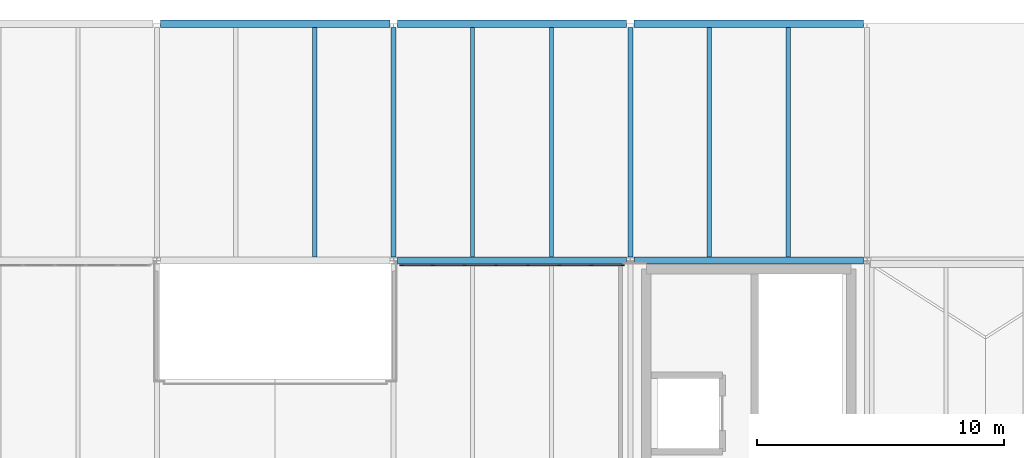
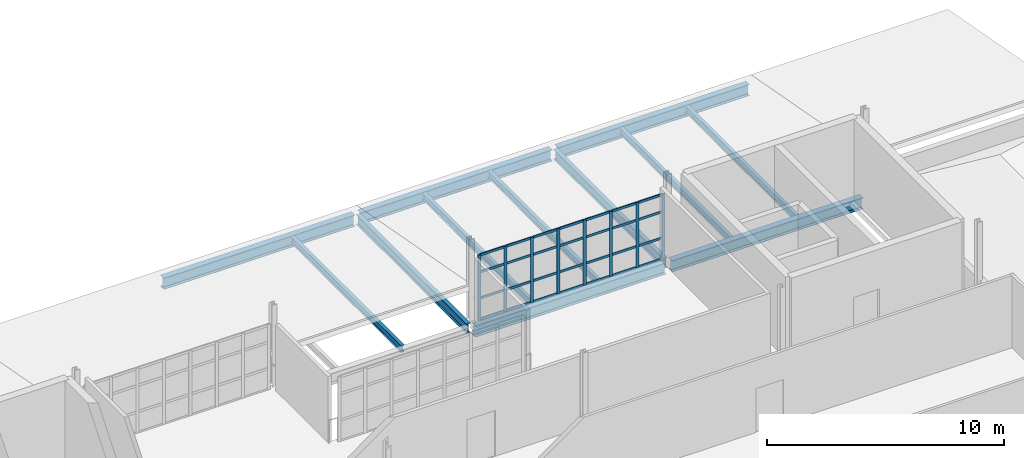
# One storey, part 27 of 58: 36 members, 12 beams, 1 element without a shape of its own.
"""IFC4 building model written with IfcOpenShell, lengths in metres."""

from ifc_helpers import new_model, si_unit, direction, frame, origin, origin_2d, place, context, subcontext, project, spatial, rectangle, i_section, extrude, material, layer, layer_set, material_profile, profile_set, type_object, element, aggregate, save


model = new_model("IFC4")

# Units and contexts
model_context = context("Model", 3, precision=1e-05, world=origin(), true_north=direction((0.0, 1.0)))
body_context = subcontext(model_context, "Body", "Model", "MODEL_VIEW")
ifc_project = project(units=[si_unit("LENGTHUNIT", "METRE"), si_unit("AREAUNIT", "SQUARE_METRE"), si_unit("VOLUMEUNIT", "CUBIC_METRE"), si_unit("PLANEANGLEUNIT", "RADIAN"), si_unit("MASSUNIT", "GRAM", prefix="KILO")], contexts=[model_context])

# Site, building, storey
site_placement = place(None, origin())
site = spatial("IfcSite", under=ifc_project, at=site_placement, CompositionType="ELEMENT")
building_placement = place(site_placement, origin())
building = spatial("IfcBuilding", under=site, at=building_placement, Name="Yeouljin Market Hall", CompositionType="ELEMENT")
storey_placement = place(building_placement, frame((0.0, 0.0, 10.800048828125)))
storey = spatial("IfcBuildingStorey", under=building, at=storey_placement, Name="L02", CompositionType="ELEMENT", Elevation=10.800048828125)

# Beams
ifc_material_1 = material(Name="Steel SM355", Category="steel")
ifc_material_profile_1 = material_profile(ifc_material_1, i_section(OverallWidth=0.199951171875, OverallDepth=0.5, WebThickness=0.010009765625, FlangeThickness=0.01611328125, FilletRadius=0.02001953125, at=origin_2d()), Name="H-500x200x10x16")
ifc_profile_set_1 = profile_set([ifc_material_profile_1], Name="Steel SM355")
beam_type_1 = type_object("IfcBeamType", Name="Beam_H-500x200x10x16", PredefinedType="BEAM", material=ifc_profile_set_1)
for number, where, z_axis, x_axis, name in (
    (1, (93.0, 98.550048828125, -0.550048828125), (0.0, 1.0, 0.0), (-1.0, 0.0, 0.0), "Primary beam BM-L02-Y118"),
    (2, (102.60009765625, 98.550048828125, -0.550048828125), (0.0, 1.0, 0.0), (-1.0, 0.0, 0.0), "Primary beam BM-L02-Y121"),
):
    element("IfcBeam", number, at=place(storey_placement, frame(where, z_axis=z_axis, x_axis=x_axis)), inside=storey, type_object=beam_type_1, Name=name, PredefinedType="BEAM", context=body_context, shape_type="SweptSolid", body=[
        extrude(i_section(OverallWidth=0.199951171875, OverallDepth=0.5, WebThickness=0.010009765625, FlangeThickness=0.01611328125, FilletRadius=0.02001953125, at=origin_2d()), origin(), (0.0, 0.0, 1.0), 9.300048828125),
    ])

# Curtain wall, members
ifc_material_2 = material(Name="Thermally Broken Aluminium", Category="aluminium")
ifc_layer = layer(ifc_material_2, 0.14990234375)
ifc_layer_set = layer_set([ifc_layer], Name="Thermally Broken Aluminium")
curtain_wall_type = type_object("IfcCurtainWallType", Name="CW_AcademyRibbon_System", PredefinedType="USERDEFINED", material=ifc_layer_set)
curtain_wall_placement = place(storey_placement, origin())
curtain_wall = element("IfcCurtainWall", 3, at=curtain_wall_placement, inside=storey, type_object=curtain_wall_type, Name="Curtain wall CW-L02-W17", ObjectType="CURTAIN WALL", PredefinedType="USERDEFINED")
ifc_material_3 = material(Name="Thermally Broken Aluminium", Category="aluminium")
ifc_material_profile_2 = material_profile(ifc_material_3, rectangle(XDim=0.048095703125, YDim=0.14990234375, at=origin_2d()), Name="CW-MULL-48x150")
ifc_profile_set_2 = profile_set([ifc_material_profile_2], Name="Thermally Broken Aluminium")
member_type_1 = type_object("IfcMemberType", Name="CWMullion_48x150", PredefinedType="MULLION", material=ifc_profile_set_2)
member_1_placement = place(storey_placement, frame((93.323974609375, 98.199951171875, 0.0), z_axis=(0.0, 0.0, 1.0), x_axis=(0.0, 1.0, 0.0)))
member_1 = element("IfcMember", 4, at=member_1_placement, type_object=member_type_1, Name="CW-05 mullion 1", PredefinedType="MULLION", context=body_context, shape_type="SweptSolid", body=[
    extrude(rectangle(XDim=0.048095703125, YDim=0.14990234375, at=origin_2d()), origin(), (0.0, 0.0, 1.0), 3.349853515625),
])
member_2_placement = place(storey_placement, frame((94.585693359375, 98.199951171875, 0.0), z_axis=(0.0, 0.0, 1.0), x_axis=(0.0, 1.0, 0.0)))
member_2 = element("IfcMember", 5, at=member_2_placement, type_object=member_type_1, Name="CW-05 mullion 2", PredefinedType="MULLION", context=body_context, shape_type="SweptSolid", body=[
    extrude(rectangle(XDim=0.048095703125, YDim=0.14990234375, at=origin_2d()), origin(), (0.0, 0.0, 1.0), 3.349853515625),
])
member_3_placement = place(storey_placement, frame((95.871337890625, 98.199951171875, 0.0), z_axis=(0.0, 0.0, 1.0), x_axis=(0.0, 1.0, 0.0)))
member_3 = element("IfcMember", 6, at=member_3_placement, type_object=member_type_1, Name="CW-05 mullion 3", PredefinedType="MULLION", context=body_context, shape_type="SweptSolid", body=[
    extrude(rectangle(XDim=0.048095703125, YDim=0.14990234375, at=origin_2d()), origin(), (0.0, 0.0, 1.0), 3.349853515625),
])
member_4_placement = place(storey_placement, frame((97.1572265625, 98.199951171875, 0.0), z_axis=(0.0, 0.0, 1.0), x_axis=(0.0, 1.0, 0.0)))
member_4 = element("IfcMember", 7, at=member_4_placement, type_object=member_type_1, Name="CW-05 mullion 4", PredefinedType="MULLION", context=body_context, shape_type="SweptSolid", body=[
    extrude(rectangle(XDim=0.048095703125, YDim=0.14990234375, at=origin_2d()), origin(), (0.0, 0.0, 1.0), 3.349853515625),
])
member_5_placement = place(storey_placement, frame((98.44287109375, 98.199951171875, 0.0), z_axis=(0.0, 0.0, 1.0), x_axis=(0.0, 1.0, 0.0)))
member_5 = element("IfcMember", 8, at=member_5_placement, type_object=member_type_1, Name="CW-05 mullion 5", PredefinedType="MULLION", context=body_context, shape_type="SweptSolid", body=[
    extrude(rectangle(XDim=0.048095703125, YDim=0.14990234375, at=origin_2d()), origin(), (0.0, 0.0, 1.0), 3.349853515625),
])
member_6_placement = place(storey_placement, frame((99.728515625, 98.199951171875, 0.0), z_axis=(0.0, 0.0, 1.0), x_axis=(0.0, 1.0, 0.0)))
member_6 = element("IfcMember", 9, at=member_6_placement, type_object=member_type_1, Name="CW-05 mullion 6", PredefinedType="MULLION", context=body_context, shape_type="SweptSolid", body=[
    extrude(rectangle(XDim=0.048095703125, YDim=0.14990234375, at=origin_2d()), origin(), (0.0, 0.0, 1.0), 3.349853515625),
])
member_7_placement = place(storey_placement, frame((101.014404296875, 98.199951171875, 0.0), z_axis=(0.0, 0.0, 1.0), x_axis=(0.0, 1.0, 0.0)))
member_7 = element("IfcMember", 10, at=member_7_placement, type_object=member_type_1, Name="CW-05 mullion 7", PredefinedType="MULLION", context=body_context, shape_type="SweptSolid", body=[
    extrude(rectangle(XDim=0.048095703125, YDim=0.14990234375, at=origin_2d()), origin(), (0.0, 0.0, 1.0), 3.349853515625),
])
member_8_placement = place(storey_placement, frame((102.27587890625, 98.199951171875, 0.0), z_axis=(0.0, 0.0, 1.0), x_axis=(0.0, 1.0, 0.0)))
member_8 = element("IfcMember", 11, at=member_8_placement, type_object=member_type_1, Name="CW-05 mullion 8", PredefinedType="MULLION", context=body_context, shape_type="SweptSolid", body=[
    extrude(rectangle(XDim=0.048095703125, YDim=0.14990234375, at=origin_2d()), origin(), (0.0, 0.0, 1.0), 3.349853515625),
])
ifc_material_4 = material(Name="Thermally Broken Aluminium", Category="aluminium")
ifc_material_profile_3 = material_profile(ifc_material_4, rectangle(XDim=0.048095703125, YDim=0.1201171875, at=origin_2d()), Name="CW-TRAN-48x120")
ifc_profile_set_3 = profile_set([ifc_material_profile_3], Name="Thermally Broken Aluminium")
member_type_2 = type_object("IfcMemberType", Name="CWTransom_48x120", PredefinedType="USERDEFINED", material=ifc_profile_set_3)
member_9_placement = place(storey_placement, frame((93.347900390625, 98.199951171875, 0.02392578125), z_axis=(1.0, 0.0, 0.0), x_axis=(0.0, 1.0, 0.0)))
member_9 = element("IfcMember", 12, at=member_9_placement, type_object=member_type_2, Name="CW-05 transom 1.1", ObjectType="TRANSOM", PredefinedType="USERDEFINED", context=body_context, shape_type="SweptSolid", body=[
    extrude(rectangle(XDim=0.048095703125, YDim=0.1201171875, at=origin_2d()), origin(), (0.0, 0.0, 1.0), 1.2138671875),
])
member_10_placement = place(storey_placement, frame((93.347900390625, 98.199951171875, 1.099853515625), z_axis=(1.0, 0.0, 0.0), x_axis=(0.0, 1.0, 0.0)))
member_10 = element("IfcMember", 13, at=member_10_placement, type_object=member_type_2, Name="CW-05 transom 1.2", ObjectType="TRANSOM", PredefinedType="USERDEFINED", context=body_context, shape_type="SweptSolid", body=[
    extrude(rectangle(XDim=0.048095703125, YDim=0.1201171875, at=origin_2d()), origin(), (0.0, 0.0, 1.0), 1.2138671875),
])
member_11_placement = place(storey_placement, frame((93.347900390625, 98.199951171875, 2.449951171875), z_axis=(1.0, 0.0, 0.0), x_axis=(0.0, 1.0, 0.0)))
member_11 = element("IfcMember", 14, at=member_11_placement, type_object=member_type_2, Name="CW-05 transom 1.3", ObjectType="TRANSOM", PredefinedType="USERDEFINED", context=body_context, shape_type="SweptSolid", body=[
    extrude(rectangle(XDim=0.048095703125, YDim=0.1201171875, at=origin_2d()), origin(), (0.0, 0.0, 1.0), 1.2138671875),
])
member_12_placement = place(storey_placement, frame((93.347900390625, 98.199951171875, 3.325927734375), z_axis=(1.0, 0.0, 0.0), x_axis=(0.0, 1.0, 0.0)))
member_12 = element("IfcMember", 15, at=member_12_placement, type_object=member_type_2, Name="CW-05 transom 1.4", ObjectType="TRANSOM", PredefinedType="USERDEFINED", context=body_context, shape_type="SweptSolid", body=[
    extrude(rectangle(XDim=0.048095703125, YDim=0.1201171875, at=origin_2d()), origin(), (0.0, 0.0, 1.0), 1.2138671875),
])
member_13_placement = place(storey_placement, frame((94.609619140625, 98.199951171875, 0.02392578125), z_axis=(1.0, 0.0, 0.0), x_axis=(0.0, 1.0, 0.0)))
member_13 = element("IfcMember", 16, at=member_13_placement, type_object=member_type_2, Name="CW-05 transom 2.1", ObjectType="TRANSOM", PredefinedType="USERDEFINED", context=body_context, shape_type="SweptSolid", body=[
    extrude(rectangle(XDim=0.048095703125, YDim=0.1201171875, at=origin_2d()), origin(), (0.0, 0.0, 1.0), 1.23779296875),
])
member_14_placement = place(storey_placement, frame((94.609619140625, 98.199951171875, 1.099853515625), z_axis=(1.0, 0.0, 0.0), x_axis=(0.0, 1.0, 0.0)))
member_14 = element("IfcMember", 17, at=member_14_placement, type_object=member_type_2, Name="CW-05 transom 2.2", ObjectType="TRANSOM", PredefinedType="USERDEFINED", context=body_context, shape_type="SweptSolid", body=[
    extrude(rectangle(XDim=0.048095703125, YDim=0.1201171875, at=origin_2d()), origin(), (0.0, 0.0, 1.0), 1.23779296875),
])
member_15_placement = place(storey_placement, frame((94.609619140625, 98.199951171875, 2.449951171875), z_axis=(1.0, 0.0, 0.0), x_axis=(0.0, 1.0, 0.0)))
member_15 = element("IfcMember", 18, at=member_15_placement, type_object=member_type_2, Name="CW-05 transom 2.3", ObjectType="TRANSOM", PredefinedType="USERDEFINED", context=body_context, shape_type="SweptSolid", body=[
    extrude(rectangle(XDim=0.048095703125, YDim=0.1201171875, at=origin_2d()), origin(), (0.0, 0.0, 1.0), 1.23779296875),
])
member_16_placement = place(storey_placement, frame((94.609619140625, 98.199951171875, 3.325927734375), z_axis=(1.0, 0.0, 0.0), x_axis=(0.0, 1.0, 0.0)))
member_16 = element("IfcMember", 19, at=member_16_placement, type_object=member_type_2, Name="CW-05 transom 2.4", ObjectType="TRANSOM", PredefinedType="USERDEFINED", context=body_context, shape_type="SweptSolid", body=[
    extrude(rectangle(XDim=0.048095703125, YDim=0.1201171875, at=origin_2d()), origin(), (0.0, 0.0, 1.0), 1.23779296875),
])
member_17_placement = place(storey_placement, frame((95.8955078125, 98.199951171875, 0.02392578125), z_axis=(1.0, 0.0, 0.0), x_axis=(0.0, 1.0, 0.0)))
member_17 = element("IfcMember", 20, at=member_17_placement, type_object=member_type_2, Name="CW-05 transom 3.1", ObjectType="TRANSOM", PredefinedType="USERDEFINED", context=body_context, shape_type="SweptSolid", body=[
    extrude(rectangle(XDim=0.048095703125, YDim=0.1201171875, at=origin_2d()), origin(), (0.0, 0.0, 1.0), 1.237548828125),
])
member_18_placement = place(storey_placement, frame((95.8955078125, 98.199951171875, 1.099853515625), z_axis=(1.0, 0.0, 0.0), x_axis=(0.0, 1.0, 0.0)))
member_18 = element("IfcMember", 21, at=member_18_placement, type_object=member_type_2, Name="CW-05 transom 3.2", ObjectType="TRANSOM", PredefinedType="USERDEFINED", context=body_context, shape_type="SweptSolid", body=[
    extrude(rectangle(XDim=0.048095703125, YDim=0.1201171875, at=origin_2d()), origin(), (0.0, 0.0, 1.0), 1.237548828125),
])
member_19_placement = place(storey_placement, frame((95.8955078125, 98.199951171875, 2.449951171875), z_axis=(1.0, 0.0, 0.0), x_axis=(0.0, 1.0, 0.0)))
member_19 = element("IfcMember", 22, at=member_19_placement, type_object=member_type_2, Name="CW-05 transom 3.3", ObjectType="TRANSOM", PredefinedType="USERDEFINED", context=body_context, shape_type="SweptSolid", body=[
    extrude(rectangle(XDim=0.048095703125, YDim=0.1201171875, at=origin_2d()), origin(), (0.0, 0.0, 1.0), 1.237548828125),
])
member_20_placement = place(storey_placement, frame((95.8955078125, 98.199951171875, 3.325927734375), z_axis=(1.0, 0.0, 0.0), x_axis=(0.0, 1.0, 0.0)))
member_20 = element("IfcMember", 23, at=member_20_placement, type_object=member_type_2, Name="CW-05 transom 3.4", ObjectType="TRANSOM", PredefinedType="USERDEFINED", context=body_context, shape_type="SweptSolid", body=[
    extrude(rectangle(XDim=0.048095703125, YDim=0.1201171875, at=origin_2d()), origin(), (0.0, 0.0, 1.0), 1.237548828125),
])
member_21_placement = place(storey_placement, frame((97.18115234375, 98.199951171875, 0.02392578125), z_axis=(1.0, 0.0, 0.0), x_axis=(0.0, 1.0, 0.0)))
member_21 = element("IfcMember", 24, at=member_21_placement, type_object=member_type_2, Name="CW-05 transom 4.1", ObjectType="TRANSOM", PredefinedType="USERDEFINED", context=body_context, shape_type="SweptSolid", body=[
    extrude(rectangle(XDim=0.048095703125, YDim=0.1201171875, at=origin_2d()), origin(), (0.0, 0.0, 1.0), 1.23779296875),
])
member_22_placement = place(storey_placement, frame((97.18115234375, 98.199951171875, 1.099853515625), z_axis=(1.0, 0.0, 0.0), x_axis=(0.0, 1.0, 0.0)))
member_22 = element("IfcMember", 25, at=member_22_placement, type_object=member_type_2, Name="CW-05 transom 4.2", ObjectType="TRANSOM", PredefinedType="USERDEFINED", context=body_context, shape_type="SweptSolid", body=[
    extrude(rectangle(XDim=0.048095703125, YDim=0.1201171875, at=origin_2d()), origin(), (0.0, 0.0, 1.0), 1.23779296875),
])
member_23_placement = place(storey_placement, frame((97.18115234375, 98.199951171875, 2.449951171875), z_axis=(1.0, 0.0, 0.0), x_axis=(0.0, 1.0, 0.0)))
member_23 = element("IfcMember", 26, at=member_23_placement, type_object=member_type_2, Name="CW-05 transom 4.3", ObjectType="TRANSOM", PredefinedType="USERDEFINED", context=body_context, shape_type="SweptSolid", body=[
    extrude(rectangle(XDim=0.048095703125, YDim=0.1201171875, at=origin_2d()), origin(), (0.0, 0.0, 1.0), 1.23779296875),
])
member_24_placement = place(storey_placement, frame((97.18115234375, 98.199951171875, 3.325927734375), z_axis=(1.0, 0.0, 0.0), x_axis=(0.0, 1.0, 0.0)))
member_24 = element("IfcMember", 27, at=member_24_placement, type_object=member_type_2, Name="CW-05 transom 4.4", ObjectType="TRANSOM", PredefinedType="USERDEFINED", context=body_context, shape_type="SweptSolid", body=[
    extrude(rectangle(XDim=0.048095703125, YDim=0.1201171875, at=origin_2d()), origin(), (0.0, 0.0, 1.0), 1.23779296875),
])
member_25_placement = place(storey_placement, frame((98.466796875, 98.199951171875, 0.02392578125), z_axis=(1.0, 0.0, 0.0), x_axis=(0.0, 1.0, 0.0)))
member_25 = element("IfcMember", 28, at=member_25_placement, type_object=member_type_2, Name="CW-05 transom 5.1", ObjectType="TRANSOM", PredefinedType="USERDEFINED", context=body_context, shape_type="SweptSolid", body=[
    extrude(rectangle(XDim=0.048095703125, YDim=0.1201171875, at=origin_2d()), origin(), (0.0, 0.0, 1.0), 1.23779296875),
])
member_26_placement = place(storey_placement, frame((98.466796875, 98.199951171875, 1.099853515625), z_axis=(1.0, 0.0, 0.0), x_axis=(0.0, 1.0, 0.0)))
member_26 = element("IfcMember", 29, at=member_26_placement, type_object=member_type_2, Name="CW-05 transom 5.2", ObjectType="TRANSOM", PredefinedType="USERDEFINED", context=body_context, shape_type="SweptSolid", body=[
    extrude(rectangle(XDim=0.048095703125, YDim=0.1201171875, at=origin_2d()), origin(), (0.0, 0.0, 1.0), 1.23779296875),
])
member_27_placement = place(storey_placement, frame((98.466796875, 98.199951171875, 2.449951171875), z_axis=(1.0, 0.0, 0.0), x_axis=(0.0, 1.0, 0.0)))
member_27 = element("IfcMember", 30, at=member_27_placement, type_object=member_type_2, Name="CW-05 transom 5.3", ObjectType="TRANSOM", PredefinedType="USERDEFINED", context=body_context, shape_type="SweptSolid", body=[
    extrude(rectangle(XDim=0.048095703125, YDim=0.1201171875, at=origin_2d()), origin(), (0.0, 0.0, 1.0), 1.23779296875),
])
member_28_placement = place(storey_placement, frame((98.466796875, 98.199951171875, 3.325927734375), z_axis=(1.0, 0.0, 0.0), x_axis=(0.0, 1.0, 0.0)))
member_28 = element("IfcMember", 31, at=member_28_placement, type_object=member_type_2, Name="CW-05 transom 5.4", ObjectType="TRANSOM", PredefinedType="USERDEFINED", context=body_context, shape_type="SweptSolid", body=[
    extrude(rectangle(XDim=0.048095703125, YDim=0.1201171875, at=origin_2d()), origin(), (0.0, 0.0, 1.0), 1.23779296875),
])
member_29_placement = place(storey_placement, frame((99.752685546875, 98.199951171875, 0.02392578125), z_axis=(1.0, 0.0, 0.0), x_axis=(0.0, 1.0, 0.0)))
member_29 = element("IfcMember", 32, at=member_29_placement, type_object=member_type_2, Name="CW-05 transom 6.1", ObjectType="TRANSOM", PredefinedType="USERDEFINED", context=body_context, shape_type="SweptSolid", body=[
    extrude(rectangle(XDim=0.048095703125, YDim=0.1201171875, at=origin_2d()), origin(), (0.0, 0.0, 1.0), 1.237548828125),
])
member_30_placement = place(storey_placement, frame((99.752685546875, 98.199951171875, 1.099853515625), z_axis=(1.0, 0.0, 0.0), x_axis=(0.0, 1.0, 0.0)))
member_30 = element("IfcMember", 33, at=member_30_placement, type_object=member_type_2, Name="CW-05 transom 6.2", ObjectType="TRANSOM", PredefinedType="USERDEFINED", context=body_context, shape_type="SweptSolid", body=[
    extrude(rectangle(XDim=0.048095703125, YDim=0.1201171875, at=origin_2d()), origin(), (0.0, 0.0, 1.0), 1.237548828125),
])
member_31_placement = place(storey_placement, frame((99.752685546875, 98.199951171875, 2.449951171875), z_axis=(1.0, 0.0, 0.0), x_axis=(0.0, 1.0, 0.0)))
member_31 = element("IfcMember", 34, at=member_31_placement, type_object=member_type_2, Name="CW-05 transom 6.3", ObjectType="TRANSOM", PredefinedType="USERDEFINED", context=body_context, shape_type="SweptSolid", body=[
    extrude(rectangle(XDim=0.048095703125, YDim=0.1201171875, at=origin_2d()), origin(), (0.0, 0.0, 1.0), 1.237548828125),
])
member_32_placement = place(storey_placement, frame((99.752685546875, 98.199951171875, 3.325927734375), z_axis=(1.0, 0.0, 0.0), x_axis=(0.0, 1.0, 0.0)))
member_32 = element("IfcMember", 35, at=member_32_placement, type_object=member_type_2, Name="CW-05 transom 6.4", ObjectType="TRANSOM", PredefinedType="USERDEFINED", context=body_context, shape_type="SweptSolid", body=[
    extrude(rectangle(XDim=0.048095703125, YDim=0.1201171875, at=origin_2d()), origin(), (0.0, 0.0, 1.0), 1.237548828125),
])
member_33_placement = place(storey_placement, frame((101.038330078125, 98.199951171875, 0.02392578125), z_axis=(1.0, 0.0, 0.0), x_axis=(0.0, 1.0, 0.0)))
member_33 = element("IfcMember", 36, at=member_33_placement, type_object=member_type_2, Name="CW-05 transom 7.1", ObjectType="TRANSOM", PredefinedType="USERDEFINED", context=body_context, shape_type="SweptSolid", body=[
    extrude(rectangle(XDim=0.048095703125, YDim=0.1201171875, at=origin_2d()), origin(), (0.0, 0.0, 1.0), 1.213623046875),
])
member_34_placement = place(storey_placement, frame((101.038330078125, 98.199951171875, 1.099853515625), z_axis=(1.0, 0.0, 0.0), x_axis=(0.0, 1.0, 0.0)))
member_34 = element("IfcMember", 37, at=member_34_placement, type_object=member_type_2, Name="CW-05 transom 7.2", ObjectType="TRANSOM", PredefinedType="USERDEFINED", context=body_context, shape_type="SweptSolid", body=[
    extrude(rectangle(XDim=0.048095703125, YDim=0.1201171875, at=origin_2d()), origin(), (0.0, 0.0, 1.0), 1.213623046875),
])
member_35_placement = place(storey_placement, frame((101.038330078125, 98.199951171875, 2.449951171875), z_axis=(1.0, 0.0, 0.0), x_axis=(0.0, 1.0, 0.0)))
member_35 = element("IfcMember", 38, at=member_35_placement, type_object=member_type_2, Name="CW-05 transom 7.3", ObjectType="TRANSOM", PredefinedType="USERDEFINED", context=body_context, shape_type="SweptSolid", body=[
    extrude(rectangle(XDim=0.048095703125, YDim=0.1201171875, at=origin_2d()), origin(), (0.0, 0.0, 1.0), 1.213623046875),
])
member_36_placement = place(storey_placement, frame((101.038330078125, 98.199951171875, 3.325927734375), z_axis=(1.0, 0.0, 0.0), x_axis=(0.0, 1.0, 0.0)))
member_36 = element("IfcMember", 39, at=member_36_placement, type_object=member_type_2, Name="CW-05 transom 7.4", ObjectType="TRANSOM", PredefinedType="USERDEFINED", context=body_context, shape_type="SweptSolid", body=[
    extrude(rectangle(XDim=0.048095703125, YDim=0.1201171875, at=origin_2d()), origin(), (0.0, 0.0, 1.0), 1.213623046875),
])
aggregate(curtain_wall, [member_1, member_2, member_3, member_4, member_5, member_6, member_7, member_8, member_9, member_10, member_11, member_12, member_13, member_14, member_15, member_16, member_17, member_18, member_19, member_20, member_21, member_22, member_23, member_24, member_25, member_26, member_27, member_28, member_29, member_30, member_31, member_32, member_33, member_34, member_35, member_36])

# Beams
ifc_material_5 = material(Name="Steel SM355", Category="steel")
ifc_material_profile_4 = material_profile(ifc_material_5, i_section(OverallWidth=0.300048828125, OverallDepth=0.587890625, WebThickness=0.011962890625, FlangeThickness=0.02001953125, FilletRadius=0.02392578125, at=origin_2d()), Name="H-588x300x12x20")
ifc_profile_set_4 = profile_set([ifc_material_profile_4], Name="Steel SM355")
beam_type_2 = type_object("IfcBeamType", Name="Girder_H-588x300x12x20", PredefinedType="USERDEFINED", material=ifc_profile_set_4)
for number, where, z_axis, x_axis, name in (
    (40, (93.14990234375, 98.39990234375, -0.593994140625), (1.0, 0.0, 0.0), (0.0, 1.0, 0.0), "Primary girder GRD-L02-X069"),
    (41, (102.75, 98.39990234375, -0.593994140625), (1.0, 0.0, 0.0), (0.0, 1.0, 0.0), "Primary girder GRD-L02-X070"),
    (42, (83.550048828125, 108.0, -0.593994140625), (1.0, 0.0, 0.0), (0.0, 1.0, 0.0), "Primary girder GRD-L02-X074"),
    (43, (93.14990234375, 108.0, -0.593994140625), (1.0, 0.0, 0.0), (0.0, 1.0, 0.0), "Primary girder GRD-L02-X075"),
    (44, (102.75, 108.0, -0.593994140625), (1.0, 0.0, 0.0), (0.0, 1.0, 0.0), "Primary girder GRD-L02-X076"),
):
    element("IfcBeam", number, at=place(storey_placement, frame(where, z_axis=z_axis, x_axis=x_axis)), inside=storey, type_object=beam_type_2, Name=name, ObjectType="GIRDER", PredefinedType="USERDEFINED", context=body_context, shape_type="SweptSolid", body=[
        extrude(i_section(OverallWidth=0.300048828125, OverallDepth=0.587890625, WebThickness=0.011962890625, FlangeThickness=0.02001953125, FilletRadius=0.02392578125, at=origin_2d()), origin(), (0.0, 0.0, 1.0), 9.300048828125),
    ])
ifc_material_6 = material(Name="Steel SM355", Category="steel")
ifc_material_profile_5 = material_profile(ifc_material_6, i_section(OverallWidth=0.175048828125, OverallDepth=0.35009765625, WebThickness=0.007080078125, FlangeThickness=0.010986328125, FilletRadius=0.013916015625, at=origin_2d()), Name="H-350x175x7x11")
ifc_profile_set_5 = profile_set([ifc_material_profile_5], Name="Steel SM355")
beam_type_3 = type_object("IfcBeamType", Name="Joist_H-350x175x7x11", PredefinedType="JOIST", material=ifc_profile_set_5)
for number, where, z_axis, x_axis, name in (
    (45, (89.800048828125, 98.547119140625, -0.47509765625), (0.0, 1.0, 0.0), (-1.0, 0.0, 0.0), "Secondary floor joist L02-045"),
    (46, (96.199951171875, 98.547119140625, -0.47509765625), (0.0, 1.0, 0.0), (-1.0, 0.0, 0.0), "Secondary floor joist L02-050"),
    (47, (99.39990234375, 98.547119140625, -0.47509765625), (0.0, 1.0, 0.0), (-1.0, 0.0, 0.0), "Secondary floor joist L02-051"),
    (48, (105.800048828125, 98.547119140625, -0.47509765625), (0.0, 1.0, 0.0), (-1.0, 0.0, 0.0), "Secondary floor joist L02-054"),
    (49, (109.0, 98.547119140625, -0.47509765625), (0.0, 1.0, 0.0), (-1.0, 0.0, 0.0), "Secondary floor joist L02-055"),
):
    element("IfcBeam", number, at=place(storey_placement, frame(where, z_axis=z_axis, x_axis=x_axis)), inside=storey, type_object=beam_type_3, Name=name, PredefinedType="JOIST", context=body_context, shape_type="SweptSolid", body=[
        extrude(i_section(OverallWidth=0.175048828125, OverallDepth=0.35009765625, WebThickness=0.007080078125, FlangeThickness=0.010986328125, FilletRadius=0.013916015625, at=origin_2d()), origin(), (0.0, 0.0, 1.0), 9.305908203125),
    ])

save(model, "model.ifc")
